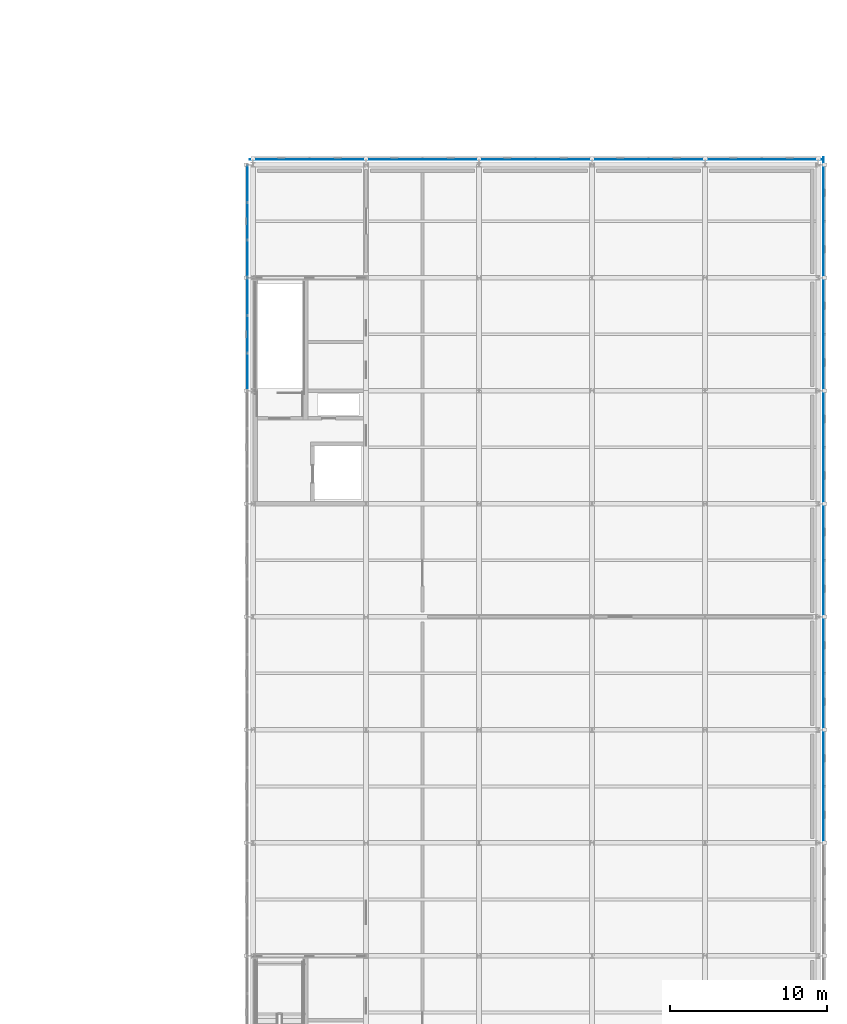
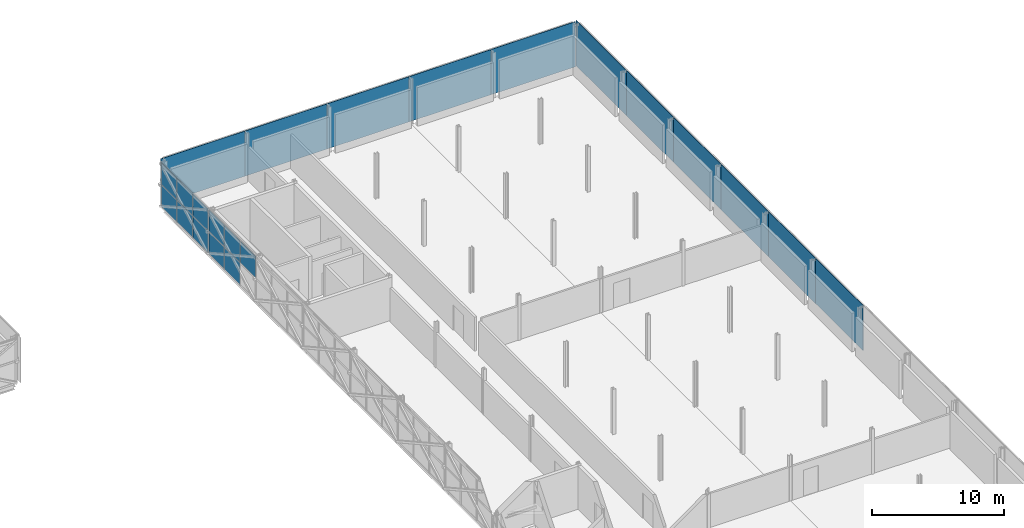
# One storey, part 96 of 146: 22 plates, 2 elements without a shape of their own.
"""IFC4 building model written with IfcOpenShell, lengths in metres."""

import ifcopenshell
import ifcopenshell.guid

model = None  # the IFC model being written
_history = None  # IfcOwnerHistory: only IFC2X3 demands one
_inside = {}  # id of a spatial element -> (the spatial element, [elements in it])
_under = {}  # id of a project, library or spatial element -> (it, [spatial elements below it])
_declared = {}  # id of a project -> (the project, [libraries it declares])
_typed = {}  # id of a type object -> (the type object, [elements of that type])
_made_of = {}  # id of a material, layer set ... -> (it, [elements and type objects made of it])


def new_model(schema):
    """Start an empty IFC model of exactly this schema.

    Asked for "IFC4X3", IfcOpenShell would pick the latest addendum, in which some entities
    have other attributes; the version numbers below select the first issue.
    IFC2X3 requires an IfcOwnerHistory on every rooted entity: one is made here for all.
    """
    global model, _history
    if schema == "IFC4X3":
        model = ifcopenshell.file(schema_version=(4, 3, 0, 0))
    else:
        model = ifcopenshell.file(schema=schema)
    _inside.clear()
    _under.clear()
    _declared.clear()
    _typed.clear()
    _made_of.clear()
    _history = None
    if model.schema == "IFC2X3":
        org = make("IfcOrganization", Name="unknown")
        user = make(
            "IfcPersonAndOrganization",
            ThePerson=make("IfcPerson", FamilyName="unknown"),
            TheOrganization=org,
        )
        app = make(
            "IfcApplication",
            ApplicationDeveloper=org,
            Version="unknown",
            ApplicationFullName="unknown",
            ApplicationIdentifier="unknown",
        )
        _history = make(
            "IfcOwnerHistory",
            OwningUser=user,
            OwningApplication=app,
            ChangeAction="ADDED",
            CreationDate=0,
        )
    return model


def make(cls, **values):
    """One entity of the class cls with the attributes given. An attribute that is None is left unset."""
    return model.create_entity(
        cls, **{name: value for name, value in values.items() if value is not None}
    )


def rooted(cls, **values):
    """An entity with a GlobalId (a new one), such as an element, a storey or a relation."""
    return make(cls, GlobalId=ifcopenshell.guid.new(), OwnerHistory=_history, **values)


def si_unit(unit_type, name, prefix=None):
    """IfcSIUnit, for example si_unit("LENGTHUNIT", "METRE", prefix="MILLI")."""
    return make("IfcSIUnit", UnitType=unit_type, Prefix=prefix, Name=name)


def assignment(units):
    """IfcUnitAssignment: the units of a project."""
    return None if units is None else make("IfcUnitAssignment", Units=units)


def point(xyz):
    """IfcCartesianPoint."""
    return None if xyz is None else make("IfcCartesianPoint", Coordinates=xyz)


def direction(xyz):
    """IfcDirection."""
    return None if xyz is None else make("IfcDirection", DirectionRatios=xyz)


def frame(location, z_axis=None, x_axis=None):
    """IfcAxis2Placement3D, a coordinate frame: its origin and axes. An axis left out is left unset."""
    return make(
        "IfcAxis2Placement3D",
        Location=point(location),
        Axis=direction(z_axis),
        RefDirection=direction(x_axis),
    )


def frame_2d(location, x_axis=None):
    """IfcAxis2Placement2D, a coordinate frame in the plane: its origin and x axis."""
    return make(
        "IfcAxis2Placement2D", Location=point(location), RefDirection=direction(x_axis)
    )


def origin():
    """The frame at (0, 0, 0) with its axes left unset."""
    return frame((0.0, 0.0, 0.0))


def origin_2d():
    """The frame at (0, 0) in the plane with its x axis left unset."""
    return frame_2d((0.0, 0.0))


def place(relative_to, where):
    """IfcLocalPlacement: puts the frame where relative to a parent placement (None: the world)."""
    return make(
        "IfcLocalPlacement", PlacementRelTo=relative_to, RelativePlacement=where
    )


def context(
    kind, dimensions, precision=None, world=None, true_north=None, identifier=None
):
    """IfcGeometricRepresentationContext, for example the 3D "Model" context."""
    return make(
        "IfcGeometricRepresentationContext",
        ContextIdentifier=identifier,
        ContextType=kind,
        CoordinateSpaceDimension=dimensions,
        Precision=precision,
        WorldCoordinateSystem=world,
        TrueNorth=true_north,
    )


def subcontext(parent, identifier, kind, view, scale=None):
    """IfcGeometricRepresentationSubContext, for example "Body" below "Model"."""
    return make(
        "IfcGeometricRepresentationSubContext",
        ContextIdentifier=identifier,
        ContextType=kind,
        ParentContext=parent,
        TargetScale=scale,
        TargetView=view,
    )


def project(units=None, contexts=None):
    """IfcProject with its units and contexts."""
    return rooted(
        "IfcProject",
        Name="project",
        RepresentationContexts=contexts,
        UnitsInContext=assignment(units),
    )


def spatial(cls, under=None, at=None, **own):
    """A site, building, storey or space (cls), placed at a placement, below another one or the project."""
    s = rooted(cls, ObjectPlacement=at, **own)
    if under is not None:
        _under.setdefault(under.id(), (under, []))[1].append(s)
    return s


def profile(cls, at=None, kind="AREA", **sizes):
    """A parametric profile (cls). Its sizes go by their IFC names, for example OverallWidth=200.0."""
    return make(cls, ProfileType=kind, Position=at, **sizes)


def rectangle(**sizes):
    """IfcRectangleProfileDef."""
    return profile("IfcRectangleProfileDef", **sizes)


def extrude(swept, where, along, depth):
    """IfcExtrudedAreaSolid: the profile swept, set in the frame where, extruded along a direction by depth."""
    return make(
        "IfcExtrudedAreaSolid",
        SweptArea=swept,
        Position=where,
        ExtrudedDirection=direction(along),
        Depth=depth,
    )


def shape(context_of_items, identifier, shape_type, items):
    """IfcShapeRepresentation: the items that make up one representation, for example the "Body"."""
    return make(
        "IfcShapeRepresentation",
        ContextOfItems=context_of_items,
        RepresentationIdentifier=identifier,
        RepresentationType=shape_type,
        Items=items,
    )


def material(Name=None, Category=None):
    """IfcMaterial."""
    return make("IfcMaterial", Name=Name, Category=Category)


def layer(
    of_material, thickness, ventilated=None, Name=None, Category=None, Priority=None
):
    """IfcMaterialLayer: one layer of a wall or slab, of a material (None: an air gap)."""
    return make(
        "IfcMaterialLayer",
        Material=of_material,
        LayerThickness=thickness,
        IsVentilated=ventilated,
        Name=Name,
        Category=Category,
        Priority=Priority,
    )


def layer_set(layers, Name=None):
    """IfcMaterialLayerSet."""
    return make("IfcMaterialLayerSet", MaterialLayers=layers, LayerSetName=Name)


def made_of(thing, what):
    """Note that an element or type object is made of a material, layer set ...; save() writes the relation."""
    if what is not None:
        _made_of.setdefault(what.id(), (what, []))[1].append(thing)
    return thing


def type_object(cls, material=None, **own):
    """A type object (cls), such as IfcWallType, which elements share."""
    return made_of(rooted(cls, **own), material)


def element(
    cls,
    number,
    at=None,
    inside=None,
    cuts=None,
    type_object=None,
    material=None,
    context=None,
    identifier="Body",
    shape_type=None,
    held_by="IfcProductDefinitionShape",
    body=None,
    shapes=None,
    **own,
):
    """One element of the class cls, such as IfcWall. Its Tag is "e" and its number.

    at: its placement. inside: the storey or other place that contains it. cuts: it is an
    opening in that element (IfcRelVoidsElement). A single representation is given by context,
    identifier, shape_type and body (its items); several are given by shapes. held_by: the class
    of the entity that holds the representations. save() writes the other relations.
    """
    e = rooted(cls, Tag="e%d" % number, ObjectPlacement=at, **own)
    if body is not None:
        shapes = [shape(context, identifier, shape_type, body)]
    if shapes is not None:
        e.Representation = make(held_by, Representations=shapes)
    if inside is not None:
        _inside.setdefault(inside.id(), (inside, []))[1].append(e)
    if cuts is not None:
        rooted(
            "IfcRelVoidsElement", RelatingBuildingElement=cuts, RelatedOpeningElement=e
        )
    if type_object is not None:
        _typed.setdefault(type_object.id(), (type_object, []))[1].append(e)
    return made_of(e, material)


def aggregate(whole, parts):
    """IfcRelAggregates: a whole, such as a stair, and the parts it consists of."""
    return rooted("IfcRelAggregates", RelatingObject=whole, RelatedObjects=parts)


def save(model, path):
    """Write the relations noted so far, then the file.

    IfcRelAggregates (storeys below a building ...), IfcRelContainedInSpatialStructure (elements
    in a storey), IfcRelDefinesByType, IfcRelAssociatesMaterial and IfcRelDeclares: one each for
    every whole, place, type object, material and project.
    """
    for whole, parts in _under.values():
        aggregate(whole, parts)
    for where, things in _inside.values():
        rooted(
            "IfcRelContainedInSpatialStructure",
            RelatedElements=things,
            RelatingStructure=where,
        )
    for kind, things in _typed.values():
        rooted("IfcRelDefinesByType", RelatedObjects=things, RelatingType=kind)
    for what, things in _made_of.values():
        rooted("IfcRelAssociatesMaterial", RelatedObjects=things, RelatingMaterial=what)
    for by, libraries in _declared.values():
        rooted("IfcRelDeclares", RelatingContext=by, RelatedDefinitions=libraries)
    model.write(path)


model = new_model("IFC4")

# Units and contexts
model_context = context("Model", 3, precision=1e-05, world=origin(), true_north=direction((0.0, 1.0)))
body_context = subcontext(model_context, "Body", "Model", "MODEL_VIEW")
ifc_project = project(units=[si_unit("LENGTHUNIT", "METRE"), si_unit("AREAUNIT", "SQUARE_METRE"), si_unit("VOLUMEUNIT", "CUBIC_METRE"), si_unit("PLANEANGLEUNIT", "RADIAN"), si_unit("MASSUNIT", "GRAM", prefix="KILO")], contexts=[model_context])

# Site, building, storey
site_placement = place(None, origin())
site = spatial("IfcSite", under=ifc_project, at=site_placement, CompositionType="ELEMENT")
building_placement = place(site_placement, origin())
building = spatial("IfcBuilding", under=site, at=building_placement, Name="Zlatovets Crest Museum", CompositionType="ELEMENT")
storey_placement = place(building_placement, frame((0.0, 0.0, 4.5)))
storey = spatial("IfcBuildingStorey", under=building, at=storey_placement, Name="L01", CompositionType="ELEMENT", Elevation=4.5)

# Curtain wall, plates
ifc_material_1 = material(Name="Bronze-anodised aluminium and low-E triple glass", Category="aluminium")
curtain_wall_type_1 = type_object("IfcCurtainWallType", Name="CW_CW-V5-L01-M2", PredefinedType="NOTDEFINED", material=ifc_material_1)
curtain_wall_1_placement = place(storey_placement, origin())
curtain_wall_1 = element("IfcCurtainWall", 1, at=curtain_wall_1_placement, inside=storey, type_object=curtain_wall_type_1, Name="V5 L01 Secession Foyer Clear Curtain Wall", PredefinedType="NOTDEFINED")
ifc_material_2 = material(Name="Solar-control low-E laminated triple glass", Category="glass")
ifc_layer_1 = layer(ifc_material_2, 0.035888671875)
ifc_layer_set_1 = layer_set([ifc_layer_1], Name="Solar-control low-E laminated triple glass")
plate_type_1 = type_object("IfcPlateType", Name="CWPanel_CW-V5-L01-M2", PredefinedType="CURTAIN_PANEL", material=ifc_layer_set_1)
plate_1_placement = place(storey_placement, frame((129.260009765625, 99.5849609375, 0.06005859375), z_axis=(0.0, 0.0, 1.0), x_axis=(0.0, -1.0, 0.0)))
plate_1 = element("IfcPlate", 2, at=plate_1_placement, type_object=plate_type_1, Name="CW-V5-L01-M2 panel 1.1", PredefinedType="CURTAIN_PANEL", context=body_context, shape_type="SweptSolid", body=[
    extrude(rectangle(XDim=2.31005859375, YDim=0.035888671875, at=origin_2d()), origin(), (0.0, 0.0, 1.0), 2.010009765625),
])
plate_2_placement = place(storey_placement, frame((129.260009765625, 99.5849609375, 2.1298828125), z_axis=(0.0, 0.0, 1.0), x_axis=(0.0, -1.0, 0.0)))
plate_2 = element("IfcPlate", 3, at=plate_2_placement, type_object=plate_type_1, Name="CW-V5-L01-M2 panel 1.2", PredefinedType="CURTAIN_PANEL", context=body_context, shape_type="SweptSolid", body=[
    extrude(rectangle(XDim=2.31005859375, YDim=0.035888671875, at=origin_2d()), origin(), (0.0, 0.0, 1.0), 2.010009765625),
])
plate_3_placement = place(storey_placement, frame((129.260009765625, 97.199951171875, 0.06005859375), z_axis=(0.0, 0.0, 1.0), x_axis=(0.0, -1.0, 0.0)))
plate_3 = element("IfcPlate", 4, at=plate_3_placement, type_object=plate_type_1, Name="CW-V5-L01-M2 panel 2.1", PredefinedType="CURTAIN_PANEL", context=body_context, shape_type="SweptSolid", body=[
    extrude(rectangle(XDim=2.340087890625, YDim=0.035888671875, at=origin_2d()), origin(), (0.0, 0.0, 1.0), 2.010009765625),
])
plate_4_placement = place(storey_placement, frame((129.260009765625, 97.199951171875, 2.1298828125), z_axis=(0.0, 0.0, 1.0), x_axis=(0.0, -1.0, 0.0)))
plate_4 = element("IfcPlate", 5, at=plate_4_placement, type_object=plate_type_1, Name="CW-V5-L01-M2 panel 2.2", PredefinedType="CURTAIN_PANEL", context=body_context, shape_type="SweptSolid", body=[
    extrude(rectangle(XDim=2.340087890625, YDim=0.035888671875, at=origin_2d()), origin(), (0.0, 0.0, 1.0), 2.010009765625),
])
plate_5_placement = place(storey_placement, frame((129.260009765625, 94.81494140625, 0.06005859375), z_axis=(0.0, 0.0, 1.0), x_axis=(0.0, -1.0, 0.0)))
plate_5 = element("IfcPlate", 6, at=plate_5_placement, type_object=plate_type_1, Name="CW-V5-L01-M2 panel 3.1", PredefinedType="CURTAIN_PANEL", context=body_context, shape_type="SweptSolid", body=[
    extrude(rectangle(XDim=2.31005859375, YDim=0.035888671875, at=origin_2d()), origin(), (0.0, 0.0, 1.0), 2.010009765625),
])
plate_6_placement = place(storey_placement, frame((129.260009765625, 94.81494140625, 2.1298828125), z_axis=(0.0, 0.0, 1.0), x_axis=(0.0, -1.0, 0.0)))
plate_6 = element("IfcPlate", 7, at=plate_6_placement, type_object=plate_type_1, Name="CW-V5-L01-M2 panel 3.2", PredefinedType="CURTAIN_PANEL", context=body_context, shape_type="SweptSolid", body=[
    extrude(rectangle(XDim=2.31005859375, YDim=0.035888671875, at=origin_2d()), origin(), (0.0, 0.0, 1.0), 2.010009765625),
])
aggregate(curtain_wall_1, [plate_1, plate_2, plate_3, plate_4, plate_5, plate_6])

curtain_wall_type_2 = type_object("IfcCurtainWallType", Name="CW_CW-V5-L01-M3", PredefinedType="NOTDEFINED", material=ifc_material_1)
curtain_wall_2_placement = place(storey_placement, origin())
curtain_wall_2 = element("IfcCurtainWall", 8, at=curtain_wall_2_placement, inside=storey, type_object=curtain_wall_type_2, Name="V5 L01 Expressed Core Glazed Facade", PredefinedType="NOTDEFINED")
ifc_layer_2 = layer(ifc_material_2, 0.030029296875)
ifc_layer_set_2 = layer_set([ifc_layer_2], Name="Solar-control low-E laminated triple glass")
plate_type_2 = type_object("IfcPlateType", Name="CWPanel_CW-V5-L01-M3", PredefinedType="CURTAIN_PANEL", material=ifc_layer_set_2)
plate_7_placement = place(storey_placement, frame((129.260009765625, 92.385009765625, 0.06005859375), z_axis=(0.0, 0.0, 1.0), x_axis=(0.0, -1.0, 0.0)))
plate_7 = element("IfcPlate", 9, at=plate_7_placement, type_object=plate_type_2, Name="CW-V5-L01-M3 panel 1.1", PredefinedType="CURTAIN_PANEL", context=body_context, shape_type="SweptSolid", body=[
    extrude(rectangle(XDim=2.31005859375, YDim=0.030029296875, at=origin_2d()), origin(), (0.0, 0.0, 1.0), 2.010009765625),
])
plate_8_placement = place(storey_placement, frame((129.260009765625, 92.385009765625, 2.1298828125), z_axis=(0.0, 0.0, 1.0), x_axis=(0.0, -1.0, 0.0)))
plate_8 = element("IfcPlate", 10, at=plate_8_placement, type_object=plate_type_2, Name="CW-V5-L01-M3 panel 1.2", PredefinedType="CURTAIN_PANEL", context=body_context, shape_type="SweptSolid", body=[
    extrude(rectangle(XDim=2.31005859375, YDim=0.030029296875, at=origin_2d()), origin(), (0.0, 0.0, 1.0), 2.010009765625),
])
plate_9_placement = place(storey_placement, frame((129.260009765625, 90.0, 0.06005859375), z_axis=(0.0, 0.0, 1.0), x_axis=(0.0, -1.0, 0.0)))
plate_9 = element("IfcPlate", 11, at=plate_9_placement, type_object=plate_type_2, Name="CW-V5-L01-M3 panel 2.1", PredefinedType="CURTAIN_PANEL", context=body_context, shape_type="SweptSolid", body=[
    extrude(rectangle(XDim=2.340087890625, YDim=0.030029296875, at=origin_2d()), origin(), (0.0, 0.0, 1.0), 2.010009765625),
])
plate_10_placement = place(storey_placement, frame((129.260009765625, 90.0, 2.1298828125), z_axis=(0.0, 0.0, 1.0), x_axis=(0.0, -1.0, 0.0)))
plate_10 = element("IfcPlate", 12, at=plate_10_placement, type_object=plate_type_2, Name="CW-V5-L01-M3 panel 2.2", PredefinedType="CURTAIN_PANEL", context=body_context, shape_type="SweptSolid", body=[
    extrude(rectangle(XDim=2.340087890625, YDim=0.030029296875, at=origin_2d()), origin(), (0.0, 0.0, 1.0), 2.010009765625),
])
plate_11_placement = place(storey_placement, frame((129.260009765625, 87.614990234375, 2.1298828125), z_axis=(0.0, 0.0, 1.0), x_axis=(0.0, -1.0, 0.0)))
plate_11 = element("IfcPlate", 13, at=plate_11_placement, type_object=plate_type_2, Name="CW-V5-L01-M3 panel 3.2", PredefinedType="CURTAIN_PANEL", context=body_context, shape_type="SweptSolid", body=[
    extrude(rectangle(XDim=2.31005859375, YDim=0.030029296875, at=origin_2d()), origin(), (0.0, 0.0, 1.0), 2.010009765625),
])
aggregate(curtain_wall_2, [plate_7, plate_8, plate_9, plate_10, plate_11])

# Plates
ifc_material_3 = material(Name="Ceramic-fritted low-E laminated architectural glass", Category="glass")
ifc_layer_3 = layer(ifc_material_3, 0.031982421875)
ifc_layer_set_3 = layer_set([ifc_layer_3], Name="Ceramic-fritted low-E laminated architectural glass")
plate_type_3 = type_object("IfcPlateType", Name="GlazedSpandrel_GSP1", PredefinedType="USERDEFINED", material=ifc_layer_set_3)
for number, where, z_axis, x_axis, name in (
    (14, (165.93994140625, 61.199951171875, 0.0), (0.0, 0.0, 1.0), (0.0, 1.0, 0.0), "V5 L01 Ceramic-Fritted Gallery Glass Skin"),
    (15, (165.93994140625, 68.39990234375, 0.0), (0.0, 0.0, 1.0), (0.0, 1.0, 0.0), "V5 L01 Ceramic-Fritted Gallery Glass Skin"),
    (16, (165.93994140625, 75.60009765625, 0.0), (0.0, 0.0, 1.0), (0.0, 1.0, 0.0), "V5 L01 Ceramic-Fritted Gallery Glass Skin"),
    (17, (165.93994140625, 82.800048828125, 0.0), (0.0, 0.0, 1.0), (0.0, 1.0, 0.0), "V5 L01 Ceramic-Fritted Gallery Glass Skin"),
    (18, (165.93994140625, 90.0, 0.0), (0.0, 0.0, 1.0), (0.0, 1.0, 0.0), "V5 L01 Ceramic-Fritted Gallery Glass Skin"),
):
    element("IfcPlate", number, at=place(storey_placement, frame(where, z_axis=z_axis, x_axis=x_axis)), inside=storey, type_object=plate_type_3, Name=name, ObjectType="GLAZED_SPANDREL", PredefinedType="USERDEFINED", context=body_context, shape_type="SweptSolid", body=[
        extrude(rectangle(XDim=7.199951171875, YDim=0.031982421875, at=origin_2d()), origin(), (0.0, 0.0, 1.0), 4.199951171875),
    ])
plate_12_placement = place(storey_placement, frame((165.93994140625, 97.43994140625, 0.0), z_axis=(0.0, 0.0, 1.0), x_axis=(0.0, 1.0, 0.0)))
element("IfcPlate", 19, at=plate_12_placement, inside=storey, type_object=plate_type_3, Name="V5 L01 Ceramic-Fritted Gallery Glass Skin", ObjectType="GLAZED_SPANDREL", PredefinedType="USERDEFINED", context=body_context, shape_type="SweptSolid", body=[
    extrude(rectangle(XDim=7.679931640625, YDim=0.031982421875, at=origin_2d()), origin(), (0.0, 0.0, 1.0), 4.199951171875),
])
plate_13_placement = place(storey_placement, frame((162.10009765625, 101.139892578125, 0.0), z_axis=(0.0, 0.0, 1.0), x_axis=(1.0, 0.0, 0.0)))
element("IfcPlate", 20, at=plate_13_placement, inside=storey, type_object=plate_type_3, Name="V5 L01 Ceramic-Fritted Gallery Glass Skin", ObjectType="GLAZED_SPANDREL", PredefinedType="USERDEFINED", context=body_context, shape_type="SweptSolid", body=[
    extrude(rectangle(XDim=7.39990234375, YDim=0.031982421875, at=origin_2d()), origin(), (0.0, 0.0, 1.0), 4.199951171875),
])
for number, where, z_axis, x_axis, name in (
    (21, (154.800048828125, 101.139892578125, 0.0), (0.0, 0.0, 1.0), (1.0, 0.0, 0.0), "V5 L01 Ceramic-Fritted Gallery Glass Skin"),
    (22, (147.60009765625, 101.139892578125, 0.0), (0.0, 0.0, 1.0), (1.0, 0.0, 0.0), "V5 L01 Ceramic-Fritted Gallery Glass Skin"),
    (23, (140.39990234375, 101.139892578125, 0.0), (0.0, 0.0, 1.0), (1.0, 0.0, 0.0), "V5 L01 Ceramic-Fritted Gallery Glass Skin"),
):
    element("IfcPlate", number, at=place(storey_placement, frame(where, z_axis=z_axis, x_axis=x_axis)), inside=storey, type_object=plate_type_3, Name=name, ObjectType="GLAZED_SPANDREL", PredefinedType="USERDEFINED", context=body_context, shape_type="SweptSolid", body=[
        extrude(rectangle(XDim=7.199951171875, YDim=0.031982421875, at=origin_2d()), origin(), (0.0, 0.0, 1.0), 4.199951171875),
    ])
plate_14_placement = place(storey_placement, frame((133.10009765625, 101.139892578125, 0.0), z_axis=(0.0, 0.0, 1.0), x_axis=(1.0, 0.0, 0.0)))
element("IfcPlate", 24, at=plate_14_placement, inside=storey, type_object=plate_type_3, Name="V5 L01 Ceramic-Fritted Gallery Glass Skin", ObjectType="GLAZED_SPANDREL", PredefinedType="USERDEFINED", context=body_context, shape_type="SweptSolid", body=[
    extrude(rectangle(XDim=7.39990234375, YDim=0.031982421875, at=origin_2d()), origin(), (0.0, 0.0, 1.0), 4.199951171875),
])

save(model, "model.ifc")
